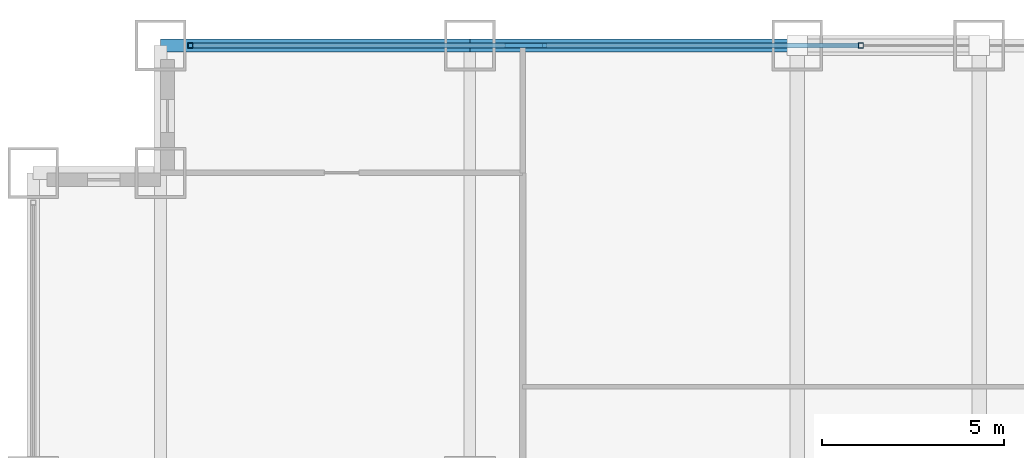
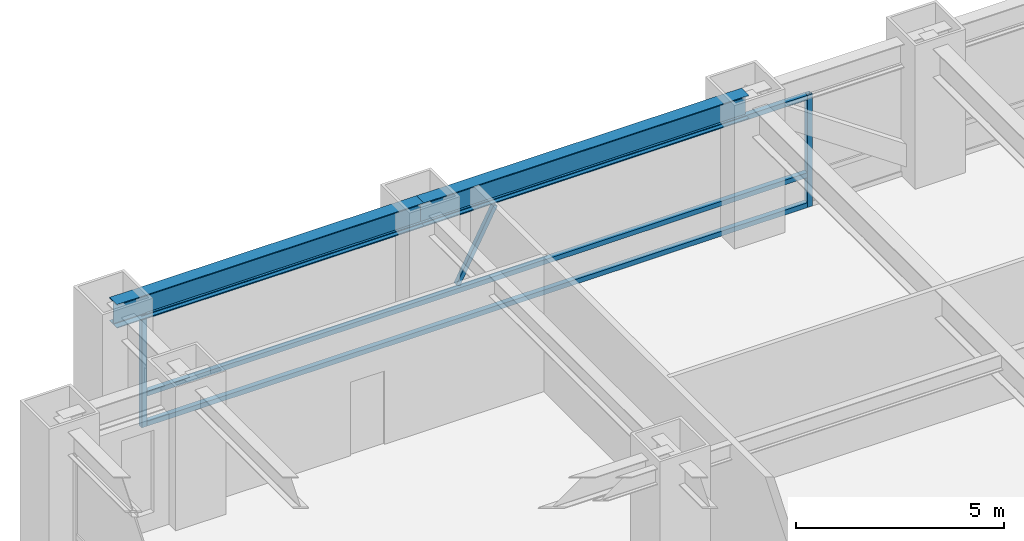
# One storey, part 19 of 27: 6 members, 2 beams, 1 element without a shape of its own.
"""IFC4 building model written with IfcOpenShell, lengths in metres."""

from ifc_helpers import new_model, si_unit, direction, frame, origin, origin_2d, place, context, subcontext, project, spatial, hollow_rectangle, i_section, extrude, source, transform, mapped, material, material_profile, profile_set, type_object, element, aggregate, save


model = new_model("IFC4")

# Units and contexts
model_context = context("Model", 3, precision=1e-05, world=origin(), true_north=direction((0.0, 1.0)))
body_context = subcontext(model_context, "Body", "Model", "MODEL_VIEW")
ifc_project = project(units=[si_unit("LENGTHUNIT", "METRE"), si_unit("AREAUNIT", "SQUARE_METRE"), si_unit("VOLUMEUNIT", "CUBIC_METRE"), si_unit("PLANEANGLEUNIT", "RADIAN"), si_unit("MASSUNIT", "GRAM", prefix="KILO")], contexts=[model_context])

# Site, building, storey
site_placement = place(None, origin())
site = spatial("IfcSite", under=ifc_project, at=site_placement, CompositionType="ELEMENT")
building_placement = place(site_placement, origin())
building = spatial("IfcBuilding", under=site, at=building_placement, Name="Khorayat Bourse Tower", CompositionType="ELEMENT")
storey_placement = place(building_placement, frame((0.0, 0.0, 53.60009765625)))
storey = spatial("IfcBuildingStorey", under=building, at=storey_placement, Name="L11", CompositionType="ELEMENT", Elevation=53.60009765625)

# Beams
ifc_material_1 = material(Name="Steel ASTM A992 Grade 50", Category="steel")
ifc_material_profile_1 = material_profile(ifc_material_1, i_section(OverallWidth=0.35498046875, OverallDepth=0.695068359375, WebThickness=0.015380859375, FlangeThickness=0.02490234375, FilletRadius=0.01806640625, at=origin_2d()), Name="W690X217")
ifc_profile_set_1 = profile_set([ifc_material_profile_1], Name="Steel ASTM A992 Grade 50")
beam_type = type_object("IfcBeamType", Name="BM-SPAN-690", PredefinedType="SPANDREL", material=ifc_profile_set_1)
shared_shape_1 = source(origin(), body_context, "Body", "SweptSolid", [
    extrude(i_section(OverallWidth=0.35498046875, OverallDepth=0.695068359375, WebThickness=0.015380859375, FlangeThickness=0.02490234375, FilletRadius=0.01806640625, at=origin_2d()), origin(), (0.0, 0.0, 1.0), 8.5),
])
beam_1_placement = place(storey_placement, frame((-28.5, 32.0, 3.59228515625), z_axis=(1.0, 0.0, 0.0), x_axis=(0.0, 1.0, 0.0)))
element("IfcBeam", 1, at=beam_1_placement, inside=storey, type_object=beam_type, Name="L11 BM-SPAN-690 BM-L11-SPN-051", PredefinedType="SPANDREL", context=body_context, shape_type="MappedRepresentation", body=[
    mapped(shared_shape_1, transform((0.0, 0.0, 0.0), scale=1.0)),
])
shared_shape_2 = source(origin(), body_context, "Body", "SweptSolid", [
    extrude(i_section(OverallWidth=0.35498046875, OverallDepth=0.695068359375, WebThickness=0.015380859375, FlangeThickness=0.02490234375, FilletRadius=0.01806640625, at=origin_2d()), origin(), (0.0, 0.0, 1.0), 9.0),
])
beam_2_placement = place(storey_placement, frame((-20.0, 32.0, 3.59228515625), z_axis=(1.0, 0.0, 0.0), x_axis=(0.0, 1.0, 0.0)))
element("IfcBeam", 2, at=beam_2_placement, inside=storey, type_object=beam_type, Name="L11 BM-SPAN-690 BM-L11-SPN-050", PredefinedType="SPANDREL", context=body_context, shape_type="MappedRepresentation", body=[
    mapped(shared_shape_2, transform((0.0, 0.0, 0.0), scale=1.0)),
])

# Curtain wall, members
ifc_material_2 = material(Name="Aluminium EN AW-6063 T6", Category="aluminium")
curtain_wall_type = type_object("IfcCurtainWallType", Name="CW-SYS-02", PredefinedType="NOTDEFINED", material=ifc_material_2)
curtain_wall_placement = place(storey_placement, origin())
curtain_wall = element("IfcCurtainWall", 3, at=curtain_wall_placement, inside=storey, type_object=curtain_wall_type, Name="L11 Curtain Wall CW-L11-N1", PredefinedType="NOTDEFINED")
ifc_material_profile_2 = material_profile(ifc_material_2, hollow_rectangle(XDim=0.139892578125, YDim=0.139892578125, WallThickness=0.006103515625, at=origin_2d()), Name="ALU 140x140x6")
ifc_profile_set_2 = profile_set([ifc_material_profile_2], Name="Aluminium EN AW-6063 T6")
member_type_1 = type_object("IfcMemberType", Name="CWM-VERT-140", PredefinedType="MULLION", material=ifc_profile_set_2)
shared_shape_3 = source(origin(), body_context, "Body", "SweptSolid", [
    extrude(hollow_rectangle(XDim=0.139892578125, YDim=0.139892578125, WallThickness=0.006103515625, at=origin_2d()), origin(), (0.0, 0.0, 1.0), 3.289794921875),
])
member_1_placement = place(storey_placement, frame((-27.679931640625, 32.0, 0.0), z_axis=(0.0, 0.0, 1.0), x_axis=(0.0, 1.0, 0.0)))
member_1 = element("IfcMember", 4, at=member_1_placement, type_object=member_type_1, Name="CW-L11-N1 Vertical Mullion 1", PredefinedType="MULLION", context=body_context, shape_type="MappedRepresentation", body=[
    mapped(shared_shape_3, transform((0.0, 0.0, 0.0), scale=1.0)),
])
member_2_placement = place(storey_placement, frame((-9.25, 32.0, 0.0), z_axis=(0.0, 0.0, 1.0), x_axis=(0.0, 1.0, 0.0)))
member_2 = element("IfcMember", 5, at=member_2_placement, type_object=member_type_1, Name="CW-L11-N1 Vertical Mullion 2", PredefinedType="MULLION", context=body_context, shape_type="MappedRepresentation", body=[
    mapped(shared_shape_3, transform((0.0, 0.0, 0.0), scale=1.0)),
])
ifc_material_profile_3 = material_profile(ifc_material_2, hollow_rectangle(XDim=0.139892578125, YDim=0.139892578125, WallThickness=0.006103515625, at=origin_2d()), Name="ALU 140x140x6")
ifc_profile_set_3 = profile_set([ifc_material_profile_3], Name="Aluminium EN AW-6063 T6")
member_type_2 = type_object("IfcMemberType", Name="CWT-HORZ-140", PredefinedType="USERDEFINED", material=ifc_profile_set_3)
shared_shape_4 = source(origin(), body_context, "Body", "SweptSolid", [
    extrude(hollow_rectangle(XDim=0.139892578125, YDim=0.139892578125, WallThickness=0.006103515625, at=origin_2d()), origin(), (0.0, 0.0, 1.0), 18.2900390625),
])
member_3_placement = place(storey_placement, frame((-27.610107421875, 32.0, 0.06982421875), z_axis=(1.0, 0.0, 0.0), x_axis=(0.0, 1.0, 0.0)))
member_3 = element("IfcMember", 6, at=member_3_placement, type_object=member_type_2, Name="CW-L11-N1 Horizontal Transom 1-1", ObjectType="TRANSOM", PredefinedType="USERDEFINED", context=body_context, shape_type="MappedRepresentation", body=[
    mapped(shared_shape_4, transform((0.0, 0.0, 0.0), scale=1.0)),
])
member_4_placement = place(storey_placement, frame((-27.610107421875, 32.0, 0.949951171875), z_axis=(1.0, 0.0, 0.0), x_axis=(0.0, 1.0, 0.0)))
member_4 = element("IfcMember", 7, at=member_4_placement, type_object=member_type_2, Name="CW-L11-N1 Horizontal Transom 1-2", ObjectType="TRANSOM", PredefinedType="USERDEFINED", context=body_context, shape_type="MappedRepresentation", body=[
    mapped(shared_shape_4, transform((0.0, 0.0, 0.0), scale=1.0)),
])
member_5_placement = place(storey_placement, frame((-27.610107421875, 32.0, 3.219970703125), z_axis=(1.0, 0.0, 0.0), x_axis=(0.0, 1.0, 0.0)))
member_5 = element("IfcMember", 8, at=member_5_placement, type_object=member_type_2, Name="CW-L11-N1 Horizontal Transom 1-3", ObjectType="TRANSOM", PredefinedType="USERDEFINED", context=body_context, shape_type="MappedRepresentation", body=[
    mapped(shared_shape_4, transform((0.0, 0.0, 0.0), scale=1.0)),
])
ifc_material_profile_4 = material_profile(ifc_material_2, hollow_rectangle(XDim=0.1201171875, YDim=0.1201171875, WallThickness=0.0048828125, at=origin_2d()), Name="ALU 120x120x5")
ifc_profile_set_4 = profile_set([ifc_material_profile_4], Name="Aluminium EN AW-6063 T6")
member_type_3 = type_object("IfcMemberType", Name="CWM-DIAG-120", PredefinedType="MULLION", material=ifc_profile_set_4)
shared_shape_5 = source(origin(), body_context, "Body", "SweptSolid", [
    extrude(hollow_rectangle(XDim=0.1201171875, YDim=0.1201171875, WallThickness=0.0048828125, at=origin_2d()), origin(), (0.0, 0.0, 1.0), 2.22607421875),
])
member_6_placement = place(storey_placement, frame((-18.9833984375, 32.0, 1.099853515625), z_axis=(0.465759992596, 0.0, 0.884911085532), x_axis=(0.0, 1.0, 0.0)))
member_6 = element("IfcMember", 9, at=member_6_placement, type_object=member_type_3, Name="CW-L11-N1 Faceted Diagonal Mullion 1", PredefinedType="MULLION", context=body_context, shape_type="MappedRepresentation", body=[
    mapped(shared_shape_5, transform((0.0, 0.0, 0.0), scale=1.0)),
])
aggregate(curtain_wall, [member_1, member_2, member_3, member_4, member_5, member_6])

save(model, "model.ifc")
